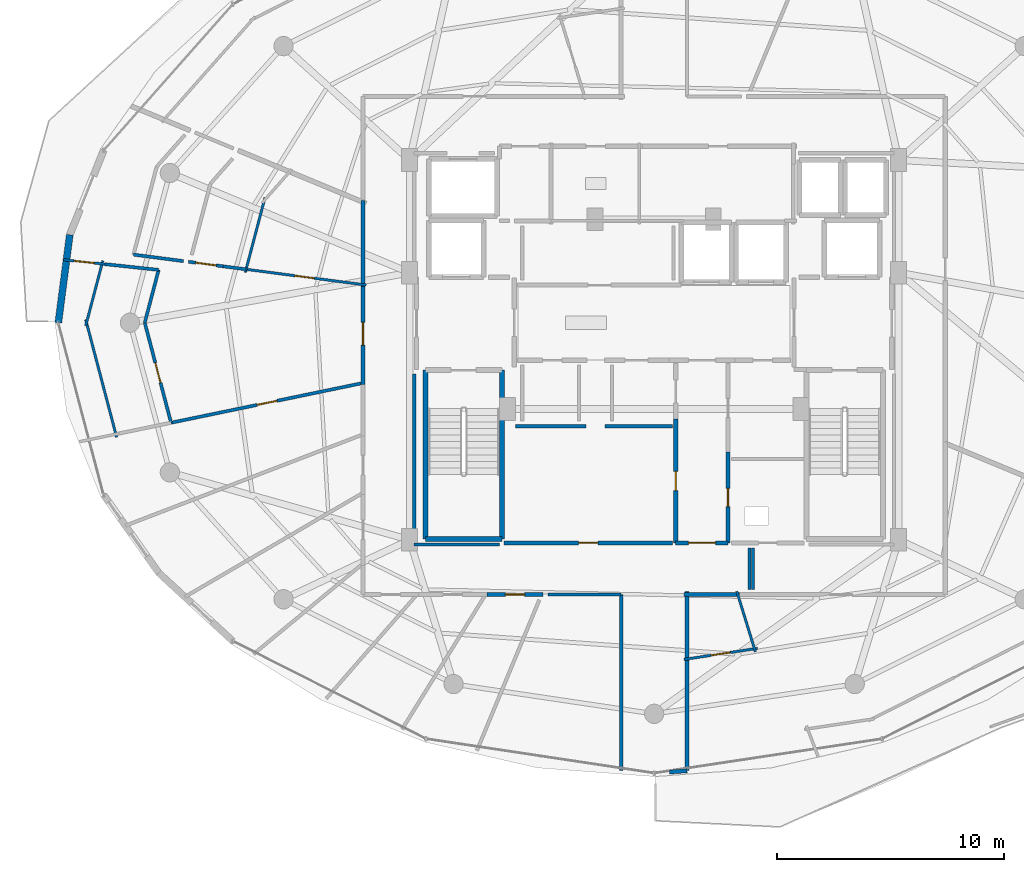
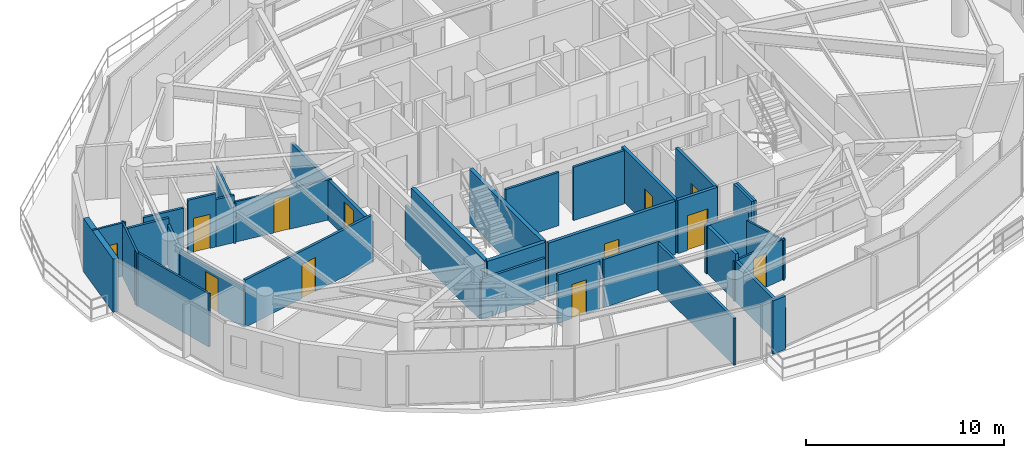
# One storey, part 22 of 30: 37 walls, 12 doors, 12 openings.
"""IFC4 building model written with IfcOpenShell, lengths in metres."""

from ifc_helpers import new_model, si_unit, direction, frame, frame_2d, origin, place, context, subcontext, project, spatial, rectangle, extrude, material, layer, layer_set, type_object, element, fill, save


model = new_model("IFC4")

# Units and contexts
model_context = context("Model", 3, precision=1e-05, world=origin(), true_north=direction((0.0, 1.0)))
body_context = subcontext(model_context, "Body", "Model", "MODEL_VIEW")
ifc_project = project(units=[si_unit("LENGTHUNIT", "METRE"), si_unit("AREAUNIT", "SQUARE_METRE"), si_unit("VOLUMEUNIT", "CUBIC_METRE"), si_unit("PLANEANGLEUNIT", "RADIAN"), si_unit("MASSUNIT", "GRAM", prefix="KILO")], contexts=[model_context])

# Site, building, storey
site_placement = place(None, origin())
site = spatial("IfcSite", under=ifc_project, at=site_placement, CompositionType="ELEMENT")
building_placement = place(site_placement, origin())
building = spatial("IfcBuilding", under=site, at=building_placement, Name="Vorneva Point Tower", CompositionType="ELEMENT")
storey_placement = place(building_placement, frame((0.0, 0.0, 237.800048828125)))
storey = spatial("IfcBuildingStorey", under=building, at=storey_placement, Name="L64", CompositionType="ELEMENT", Elevation=237.800048828125)

# Wall
ifc_material_1 = material(Name="Precast concrete B50 (C40/50)", Category="concrete")
ifc_layer_1 = layer(ifc_material_1, 0.300048828125)
ifc_layer_set_1 = layer_set([ifc_layer_1], Name="Precast concrete B50 (C40/50)")
wall_type_1 = type_object("IfcWallType", Name="WL-EXT-300", PredefinedType="STANDARD", material=ifc_layer_set_1)
wall_1_placement = place(storey_placement, frame((12.303466796875, 29.86474609375, 0.0), z_axis=(0.0, 0.0, 1.0), x_axis=(-0.129167789917, -0.991622751881, 0.0)))
element("IfcWall", 1, at=wall_1_placement, inside=storey, type_object=wall_type_1, Name="L64 Pale-Metal Facade Spandrel Wall 08.2", PredefinedType="STANDARD", context=body_context, shape_type="SweptSolid", body=[
    extrude(rectangle(XDim=3.8974609375, YDim=0.300048828125, at=frame_2d((1.94873046875, 0.0))), origin(), (0.0, 0.0, 1.0), 3.2900390625),
])

# Wall, opening, door
ifc_material_2 = material(Name="Fire-rated acoustic gypsum stud partition", Category="gypsum")
ifc_layer_2 = layer(ifc_material_2, 0.110107421875)
ifc_layer_set_2 = layer_set([ifc_layer_2], Name="Fire-rated acoustic gypsum stud partition")
wall_type_2 = type_object("IfcWallType", Name="WL-PART-110", PredefinedType="PARTITIONING", material=ifc_layer_set_2)
wall_2_placement = place(storey_placement, frame((25.3388671875, 27.65576171875, 0.0), z_axis=(0.0, 0.0, 1.0), x_axis=(-0.991543288598, 0.129776372412, 0.0)))
wall_2 = element("IfcWall", 2, at=wall_2_placement, inside=storey, type_object=wall_type_2, Name="L64 Interior Partition 066", PredefinedType="PARTITIONING", context=body_context, shape_type="SweptSolid", body=[
    extrude(rectangle(XDim=5.466796875, YDim=0.110107421875, at=frame_2d((2.7333984375, 0.0))), origin(), (0.0, 0.0, 1.0), 2.48193359375),
])
opening_1_placement = place(wall_2_placement, frame((2.308349609375, 0.0, 0.0)))
opening_1 = element("IfcOpeningElement", 3, at=opening_1_placement, cuts=wall_2, Name="Opening ID-02", PredefinedType="OPENING", context=body_context, shape_type="SweptSolid", body=[
    extrude(rectangle(XDim=0.85009765625, YDim=2.10009765625, at=frame_2d((0.425048828125, 1.050048828125))), frame((0.0, 0.06982421875, 0.0), z_axis=(0.0, -1.0, 0.0), x_axis=(1.0, 0.0, 0.0)), (0.0, 0.0, 1.0), 0.139892578125),
])
ifc_material_3 = material(Name="Engineered oak fire-rated door leaf", Category="wood")
door_type_1 = type_object("IfcDoorType", Name="DR-BATH-850", OperationType="NOTDEFINED", PredefinedType="DOOR", material=ifc_material_3)
door_1_placement = place(opening_1_placement, origin())
door_1 = element("IfcDoor", 4, at=door_1_placement, inside=storey, type_object=door_type_1, Name="L64 Door Living and Dining Room L64-02 / Bathroom L64-02", OperationType="SINGLE_SWING_LEFT", OverallHeight=2.10009765625, OverallWidth=0.85009765625, PredefinedType="DOOR", context=body_context, shape_type="SweptSolid", body=[
    extrude(rectangle(XDim=0.85009765625, YDim=2.10009765625, at=frame_2d((0.425048828125, 1.050048828125))), frame((0.0, 0.02490234375, 0.0), z_axis=(0.0, -1.0, 0.0), x_axis=(1.0, 0.0, 0.0)), (0.0, 0.0, 1.0), 0.050048828125),
])
fill(opening_1, door_1)

wall_3_placement = place(storey_placement, frame((12.020751953125, 28.768798828125, 0.0), z_axis=(0.0, 0.0, 1.0), x_axis=(0.994395705484, -0.105722187429, 0.0)))
wall_3 = element("IfcWall", 5, at=wall_3_placement, inside=storey, type_object=wall_type_2, Name="L64 Interior Partition 067", PredefinedType="PARTITIONING", context=body_context, shape_type="SweptSolid", body=[
    extrude(rectangle(XDim=1.849609375, YDim=0.110107421875, at=frame_2d((0.9248046875, 0.0))), origin(), (0.0, 0.0, 1.0), 3.2900390625),
])
opening_2_placement = place(wall_3_placement, frame((0.474853515625, 0.0, 0.0)))
opening_2 = element("IfcOpeningElement", 6, at=opening_2_placement, cuts=wall_3, Name="Opening ID-01", PredefinedType="OPENING", context=body_context, shape_type="SweptSolid", body=[
    extrude(rectangle(XDim=0.89990234375, YDim=2.10009765625, at=frame_2d((0.449951171875, 1.050048828125))), frame((0.0, 0.06982421875, 0.0), z_axis=(0.0, -1.0, 0.0), x_axis=(1.0, 0.0, 0.0)), (0.0, 0.0, 1.0), 0.139892578125),
])
door_type_2 = type_object("IfcDoorType", Name="DR-ROOM-900", OperationType="NOTDEFINED", PredefinedType="DOOR", material=ifc_material_3)
door_2_placement = place(opening_2_placement, origin())
door_2 = element("IfcDoor", 7, at=door_2_placement, inside=storey, type_object=door_type_2, Name="L64 Door Living and Dining Room L64-02 / Kitchen L64-02", OperationType="SINGLE_SWING_RIGHT", OverallHeight=2.10009765625, OverallWidth=0.89990234375, PredefinedType="DOOR", context=body_context, shape_type="SweptSolid", body=[
    extrude(rectangle(XDim=0.89990234375, YDim=2.10009765625, at=frame_2d((0.449951171875, 1.050048828125))), frame((0.0, 0.02490234375, 0.0), z_axis=(0.0, -1.0, 0.0), x_axis=(1.0, 0.0, 0.0)), (0.0, 0.0, 1.0), 0.050048828125),
])
fill(opening_2, door_2)

# Walls
wall_4_placement = place(storey_placement, frame((20.021484375, 28.211669921875, 0.0), z_axis=(0.0, 0.0, 1.0), x_axis=(0.254539154478, 0.967062468943, 0.0)))
element("IfcWall", 8, at=wall_4_placement, inside=storey, type_object=wall_type_2, Name="L64 Interior Partition 073", PredefinedType="PARTITIONING", context=body_context, shape_type="SweptSolid", body=[
    extrude(rectangle(XDim=3.406982421875, YDim=0.110107421875, at=frame_2d((1.70361328125, 0.0))), origin(), (0.0, 0.0, 1.0), 2.48193359375),
])
wall_5_placement = place(storey_placement, frame((14.364501953125, 20.962646484375, 0.0), z_axis=(0.0, 0.0, 1.0), x_axis=(-0.254288836667, 0.967128320104, 0.0)))
element("IfcWall", 9, at=wall_5_placement, inside=storey, type_object=wall_type_2, Name="L64 Interior Partition 075", PredefinedType="PARTITIONING", context=body_context, shape_type="SweptSolid", body=[
    extrude(rectangle(XDim=5.3486328125, YDim=0.110107421875, at=frame_2d((2.67431640625, 0.0))), origin(), (0.0, 0.0, 1.0), 3.2900390625),
])
wall_6_placement = place(storey_placement, frame((13.00439453125, 25.864501953125, 0.0), z_axis=(0.0, 0.0, 1.0), x_axis=(0.254448582557, 0.967086303716, 0.0)))
element("IfcWall", 10, at=wall_6_placement, inside=storey, type_object=wall_type_2, Name="L64 Interior Partition 076", PredefinedType="PARTITIONING", context=body_context, shape_type="SweptSolid", body=[
    extrude(rectangle(XDim=2.956298828125, YDim=0.110107421875, at=frame_2d((1.47802734375, 0.0))), origin(), (0.0, 0.0, 1.0), 3.2900390625),
])
wall_7_placement = place(storey_placement, frame((41.634765625, 14.183837890625, 0.0), z_axis=(0.0, 0.0, 1.0), x_axis=(0.294283258928, -0.955718244837, 0.0)))
element("IfcWall", 11, at=wall_7_placement, inside=storey, type_object=wall_type_2, Name="L64 Interior Partition 083", PredefinedType="PARTITIONING", context=body_context, shape_type="SweptSolid", body=[
    extrude(rectangle(XDim=2.78076171875, YDim=0.110107421875, at=frame_2d((1.390380859375, 0.0))), origin(), (0.0, 0.0, 1.0), 2.48193359375),
])

# Wall, opening, door
wall_8_placement = place(storey_placement, frame((42.55029296875, 11.680908203125, 0.0), z_axis=(0.0, 0.0, 1.0), x_axis=(-0.98884760338, -0.148930914485, 0.0)))
wall_8 = element("IfcWall", 12, at=wall_8_placement, inside=storey, type_object=wall_type_2, Name="L64 Interior Partition 084", PredefinedType="PARTITIONING", context=body_context, shape_type="SweptSolid", body=[
    extrude(rectangle(XDim=3.275390625, YDim=0.110107421875, at=frame_2d((1.6376953125, 0.0))), origin(), (0.0, 0.0, 1.0), 2.48193359375),
])
opening_3_placement = place(wall_8_placement, frame((1.212646484375, 0.0, 0.0)))
opening_3 = element("IfcOpeningElement", 13, at=opening_3_placement, cuts=wall_8, Name="Opening ID-02", PredefinedType="OPENING", context=body_context, shape_type="SweptSolid", body=[
    extrude(rectangle(XDim=0.85009765625, YDim=2.10009765625, at=frame_2d((0.425048828125, 1.050048828125))), frame((0.0, 0.06982421875, 0.0), z_axis=(0.0, -1.0, 0.0), x_axis=(1.0, 0.0, 0.0)), (0.0, 0.0, 1.0), 0.139892578125),
])
door_3_placement = place(opening_3_placement, origin())
door_3 = element("IfcDoor", 14, at=door_3_placement, inside=storey, type_object=door_type_1, Name="L64 Door Studio Apartment L64-03 / Bathroom L64-03", OperationType="SINGLE_SWING_LEFT", OverallHeight=2.10009765625, OverallWidth=0.85009765625, PredefinedType="DOOR", context=body_context, shape_type="SweptSolid", body=[
    extrude(rectangle(XDim=0.85009765625, YDim=2.10009765625, at=frame_2d((0.425048828125, 1.050048828125))), frame((0.0, 0.02490234375, 0.0), z_axis=(0.0, -1.0, 0.0), x_axis=(1.0, 0.0, 0.0)), (0.0, 0.0, 1.0), 0.050048828125),
])
fill(opening_3, door_3)

# Walls
ifc_layer_3 = layer(ifc_material_2, 0.139892578125)
ifc_layer_set_3 = layer_set([ifc_layer_3], Name="Fire-rated acoustic gypsum stud partition")
wall_type_3 = type_object("IfcWallType", Name="WL-PART-140", PredefinedType="PARTITIONING", material=ifc_layer_set_3)
wall_9_placement = place(storey_placement, frame((35.0048828125, 21.449951171875, 0.0), z_axis=(0.0, 0.0, 1.0), x_axis=(-1.0, 0.0, 0.0)))
element("IfcWall", 15, at=wall_9_placement, inside=storey, type_object=wall_type_3, Name="L64 Interior Partition 028", PredefinedType="PARTITIONING", context=body_context, shape_type="SweptSolid", body=[
    extrude(rectangle(XDim=3.10986328125, YDim=0.139892578125, at=frame_2d((1.554931640625, 0.0))), origin(), (0.0, 0.0, 1.0), 3.2900390625),
])
wall_10_placement = place(storey_placement, frame((38.800048828125, 21.449951171875, 0.0), z_axis=(0.0, 0.0, 1.0), x_axis=(-1.0, 0.0, 0.0)))
element("IfcWall", 16, at=wall_10_placement, inside=storey, type_object=wall_type_3, Name="L64 Interior Partition 029", PredefinedType="PARTITIONING", context=body_context, shape_type="SweptSolid", body=[
    extrude(rectangle(XDim=2.955078125, YDim=0.139892578125, at=frame_2d((1.4775390625, 0.0))), origin(), (0.0, 0.0, 1.0), 3.2900390625),
])
wall_11_placement = place(storey_placement, frame((20.056884765625, 28.346923828125, 0.0), z_axis=(0.0, 0.0, 1.0), x_axis=(-0.99150495655, 0.130068909188, 0.0)))
element("IfcWall", 17, at=wall_11_placement, inside=storey, type_object=wall_type_3, Name="L64 Interior Partition 064", PredefinedType="PARTITIONING", context=body_context, shape_type="SweptSolid", body=[
    extrude(rectangle(XDim=1.015380859375, YDim=0.139892578125, at=frame_2d((0.5078125, 0.0))), origin(), (0.0, 0.0, 1.0), 2.924072265625),
])

# Wall, opening, door
wall_12_placement = place(storey_placement, frame((19.050048828125, 28.47900390625, 0.0), z_axis=(0.0, 0.0, 1.0), x_axis=(-0.991536647804, 0.129827100648, 0.0)))
wall_12 = element("IfcWall", 18, at=wall_12_placement, inside=storey, type_object=wall_type_3, Name="L64 Interior Partition 065", PredefinedType="PARTITIONING", context=body_context, shape_type="SweptSolid", body=[
    extrude(rectangle(XDim=1.5400390625, YDim=0.139892578125, at=frame_2d((0.77001953125, 0.0))), origin(), (0.0, 0.0, 1.0), 3.2900390625),
])
opening_4_placement = place(wall_12_placement, frame((0.320068359375, 0.0, 0.0)))
opening_4 = element("IfcOpeningElement", 19, at=opening_4_placement, cuts=wall_12, Name="Opening ID-01", PredefinedType="OPENING", context=body_context, shape_type="SweptSolid", body=[
    extrude(rectangle(XDim=0.89990234375, YDim=2.10009765625, at=frame_2d((0.449951171875, 1.050048828125))), frame((0.0, 0.0849609375, 0.0), z_axis=(0.0, -1.0, 0.0), x_axis=(1.0, 0.0, 0.0)), (0.0, 0.0, 1.0), 0.169677734375),
])
door_4_placement = place(opening_4_placement, origin())
door_4 = element("IfcDoor", 20, at=door_4_placement, inside=storey, type_object=door_type_2, Name="L64 Door Living and Dining Room L64-02 / Family Dining Room L64-02", OperationType="SINGLE_SWING_RIGHT", OverallHeight=2.10009765625, OverallWidth=0.89990234375, PredefinedType="DOOR", context=body_context, shape_type="SweptSolid", body=[
    extrude(rectangle(XDim=0.89990234375, YDim=2.10009765625, at=frame_2d((0.449951171875, 1.050048828125))), frame((0.0, 0.02490234375, 0.0), z_axis=(0.0, -1.0, 0.0), x_axis=(1.0, 0.0, 0.0)), (0.0, 0.0, 1.0), 0.050048828125),
])
fill(opening_4, door_4)

# Walls
wall_13_placement = place(storey_placement, frame((13.860107421875, 28.572998046875, 0.0), z_axis=(0.0, 0.0, 1.0), x_axis=(0.994349321614, -0.106157555574, 0.0)))
element("IfcWall", 21, at=wall_13_placement, inside=storey, type_object=wall_type_3, Name="L64 Interior Partition 068", PredefinedType="PARTITIONING", context=body_context, shape_type="SweptSolid", body=[
    extrude(rectangle(XDim=2.3642578125, YDim=0.139892578125, at=frame_2d((1.18212890625, 0.0))), origin(), (0.0, 0.0, 1.0), 2.8740234375),
])
wall_14_placement = place(storey_placement, frame((16.2109375, 28.322021484375, 0.0), z_axis=(0.0, 0.0, 1.0), x_axis=(-0.254408212112, -0.96709692462, 0.0)))
element("IfcWall", 22, at=wall_14_placement, inside=storey, type_object=wall_type_3, Name="L64 Interior Partition 069", PredefinedType="PARTITIONING", context=body_context, shape_type="SweptSolid", body=[
    extrude(rectangle(XDim=2.401123046875, YDim=0.139892578125, at=frame_2d((1.20068359375, 0.0))), origin(), (0.0, 0.0, 1.0), 2.48193359375),
])

# Wall, opening, door
wall_15_placement = place(storey_placement, frame((15.60009765625, 26.0, 0.0), z_axis=(0.0, 0.0, 1.0), x_axis=(0.25436383836, -0.967108596661, 0.0)))
wall_15 = element("IfcWall", 23, at=wall_15_placement, inside=storey, type_object=wall_type_3, Name="L64 Interior Partition 070", PredefinedType="PARTITIONING", context=body_context, shape_type="SweptSolid", body=[
    extrude(rectangle(XDim=4.548583984375, YDim=0.139892578125, at=frame_2d((2.2744140625, 0.0))), origin(), (0.0, 0.0, 1.0), 2.48193359375),
])
opening_5_placement = place(wall_15_placement, frame((1.82421875, 0.0, 0.0)))
opening_5 = element("IfcOpeningElement", 24, at=opening_5_placement, cuts=wall_15, Name="Opening ID-01", PredefinedType="OPENING", context=body_context, shape_type="SweptSolid", body=[
    extrude(rectangle(XDim=0.89990234375, YDim=2.10009765625, at=frame_2d((0.449951171875, 1.050048828125))), frame((0.0, 0.0849609375, 0.0), z_axis=(0.0, -1.0, 0.0), x_axis=(1.0, 0.0, 0.0)), (0.0, 0.0, 1.0), 0.169677734375),
])
door_5_placement = place(opening_5_placement, origin())
door_5 = element("IfcDoor", 25, at=door_5_placement, inside=storey, type_object=door_type_2, Name="L64 Door Living and Dining Room L64-02 / Study Room L64-02", OperationType="SINGLE_SWING_LEFT", OverallHeight=2.10009765625, OverallWidth=0.89990234375, PredefinedType="DOOR", context=body_context, shape_type="SweptSolid", body=[
    extrude(rectangle(XDim=0.89990234375, YDim=2.10009765625, at=frame_2d((0.449951171875, 1.050048828125))), frame((0.0, 0.02490234375, 0.0), z_axis=(0.0, -1.0, 0.0), x_axis=(1.0, 0.0, 0.0)), (0.0, 0.0, 1.0), 0.050048828125),
])
fill(opening_5, door_5)

wall_16_placement = place(storey_placement, frame((16.757080078125, 21.600830078125, 0.0), z_axis=(0.0, 0.0, 1.0), x_axis=(0.979226116247, 0.20277133244, 0.0)))
wall_16 = element("IfcWall", 26, at=wall_16_placement, inside=storey, type_object=wall_type_3, Name="L64 Interior Partition 072", PredefinedType="PARTITIONING", context=body_context, shape_type="SweptSolid", body=[
    extrude(rectangle(XDim=8.6220703125, YDim=0.139892578125, at=frame_2d((4.31103515625, 0.0))), origin(), (0.0, 0.0, 1.0), 2.924072265625),
])
opening_6_placement = place(wall_16_placement, frame((3.861083984375, 0.0, 0.0)))
opening_6 = element("IfcOpeningElement", 27, at=opening_6_placement, cuts=wall_16, Name="Opening ID-01", PredefinedType="OPENING", context=body_context, shape_type="SweptSolid", body=[
    extrude(rectangle(XDim=0.89990234375, YDim=2.10009765625, at=frame_2d((0.449951171875, 1.050048828125))), frame((0.0, 0.0849609375, 0.0), z_axis=(0.0, -1.0, 0.0), x_axis=(1.0, 0.0, 0.0)), (0.0, 0.0, 1.0), 0.169677734375),
])
door_6_placement = place(opening_6_placement, origin())
door_6 = element("IfcDoor", 28, at=door_6_placement, inside=storey, type_object=door_type_2, Name="L64 Door Living and Dining Room L64-02 / Master Bedroom L64-02.1", OperationType="SINGLE_SWING_RIGHT", OverallHeight=2.10009765625, OverallWidth=0.89990234375, PredefinedType="DOOR", context=body_context, shape_type="SweptSolid", body=[
    extrude(rectangle(XDim=0.89990234375, YDim=2.10009765625, at=frame_2d((0.449951171875, 1.050048828125))), frame((0.0, 0.02490234375, 0.0), z_axis=(0.0, -1.0, 0.0), x_axis=(1.0, 0.0, 0.0)), (0.0, 0.0, 1.0), 0.050048828125),
])
fill(opening_6, door_6)

# Walls
wall_17_placement = place(storey_placement, frame((33.330078125, 14.050048828125, 0.0), z_axis=(0.0, 0.0, 1.0), x_axis=(1.0, 0.0, 0.0)))
element("IfcWall", 29, at=wall_17_placement, inside=storey, type_object=wall_type_3, Name="L64 Interior Closure Partition 101", PredefinedType="PARTITIONING", context=body_context, shape_type="SweptSolid", body=[
    extrude(rectangle(XDim=3.219970703125, YDim=0.139892578125, at=frame_2d((1.60986328125, 0.0))), origin(), (0.0, 0.0, 1.0), 2.971923828125),
])
wall_18_placement = place(storey_placement, frame((36.550048828125, 14.050048828125, 0.0), z_axis=(0.0, 0.0, 1.0), x_axis=(0.0, -1.0, 0.0)))
element("IfcWall", 30, at=wall_18_placement, inside=storey, type_object=wall_type_3, Name="L64 Interior Closure Partition 102", PredefinedType="PARTITIONING", context=body_context, shape_type="SweptSolid", body=[
    extrude(rectangle(XDim=7.7509765625, YDim=0.139892578125, at=frame_2d((3.87548828125, 0.0))), origin(), (0.0, 0.0, 1.0), 2.8740234375),
])
wall_19_placement = place(storey_placement, frame((42.340087890625, 14.27001953125, 0.0), z_axis=(0.0, 0.0, 1.0), x_axis=(0.0, 1.0, 0.0)))
element("IfcWall", 31, at=wall_19_placement, inside=storey, type_object=wall_type_3, Name="L64 Interior Closure Partition 105", PredefinedType="PARTITIONING", context=body_context, shape_type="SweptSolid", body=[
    extrude(rectangle(XDim=1.830078125, YDim=0.139892578125, at=frame_2d((0.9150390625, 0.0))), origin(), (0.0, 0.0, 1.0), 3.2900390625),
])
wall_20_placement = place(storey_placement, frame((27.449951171875, 23.75390625, 0.0), z_axis=(0.0, 0.0, 1.0), x_axis=(0.0, -1.0, 0.0)))
element("IfcWall", 32, at=wall_20_placement, inside=storey, type_object=wall_type_3, Name="L64 Interior Closure Partition 113", PredefinedType="PARTITIONING", context=body_context, shape_type="SweptSolid", body=[
    extrude(rectangle(XDim=7.513916015625, YDim=0.139892578125, at=frame_2d((3.7568359375, 0.0))), origin(), (0.0, 0.0, 1.0), 2.48193359375),
])
wall_21_placement = place(storey_placement, frame((27.449951171875, 16.239990234375, 0.0), z_axis=(0.0, 0.0, 1.0), x_axis=(1.0, 0.0, 0.0)))
element("IfcWall", 33, at=wall_21_placement, inside=storey, type_object=wall_type_3, Name="L64 Interior Closure Partition 114", PredefinedType="PARTITIONING", context=body_context, shape_type="SweptSolid", body=[
    extrude(rectangle(XDim=3.7451171875, YDim=0.139892578125, at=frame_2d((1.87255859375, 0.0))), origin(), (0.0, 0.0, 1.0), 2.48193359375),
])
wall_22_placement = place(storey_placement, frame((42.199951171875, 16.10009765625, 0.0), z_axis=(0.0, 0.0, 1.0), x_axis=(0.0, -1.0, 0.0)))
element("IfcWall", 34, at=wall_22_placement, inside=storey, type_object=wall_type_3, Name="L64 Interior Closure Partition 115", PredefinedType="PARTITIONING", context=body_context, shape_type="SweptSolid", body=[
    extrude(rectangle(XDim=1.830078125, YDim=0.139892578125, at=frame_2d((0.9150390625, 0.0))), origin(), (0.0, 0.0, 1.0), 3.2900390625),
])
wall_23_placement = place(storey_placement, frame((17.304931640625, 28.70703125, 0.0), z_axis=(0.0, 0.0, 1.0), x_axis=(-0.991583198316, 0.129471081011, 0.0)))
element("IfcWall", 35, at=wall_23_placement, inside=storey, type_object=wall_type_3, Name="L64 Interior Closure Partition 117", PredefinedType="PARTITIONING", context=body_context, shape_type="SweptSolid", body=[
    extrude(rectangle(XDim=2.215576171875, YDim=0.139892578125, at=frame_2d((1.10791015625, 0.0))), origin(), (0.0, 0.0, 1.0), 2.8740234375),
])

# Wall, opening, door
ifc_material_4 = material(Name="Autoclaved aerated concrete blockwork", Category="masonry")
ifc_layer_4 = layer(ifc_material_4, 0.179931640625)
ifc_layer_set_4 = layer_set([ifc_layer_4], Name="Autoclaved aerated concrete blockwork")
wall_type_4 = type_object("IfcWallType", Name="WL-PART-180", PredefinedType="PARTITIONING", material=ifc_layer_set_4)
wall_24_placement = place(storey_placement, frame((41.25, 16.320068359375, 0.0), z_axis=(0.0, 0.0, 1.0), x_axis=(0.0, 1.0, 0.0)))
wall_24 = element("IfcWall", 36, at=wall_24_placement, inside=storey, type_object=wall_type_4, Name="L64 Interior Partition 015", PredefinedType="PARTITIONING", context=body_context, shape_type="SweptSolid", body=[
    extrude(rectangle(XDim=3.98486328125, YDim=0.179931640625, at=frame_2d((1.992431640625, 0.0))), origin(), (0.0, 0.0, 1.0), 3.2900390625),
])
opening_7_placement = place(wall_24_placement, frame((1.592529296875, 0.0, 0.0)))
opening_7 = element("IfcOpeningElement", 37, at=opening_7_placement, cuts=wall_24, Name="Opening RD-01", PredefinedType="OPENING", context=body_context, shape_type="SweptSolid", body=[
    extrude(rectangle(XDim=0.800048828125, YDim=2.050048828125, at=frame_2d((0.39990234375, 1.02490234375))), frame((0.0, 0.10498046875, 0.0), z_axis=(0.0, -1.0, 0.0), x_axis=(1.0, 0.0, 0.0)), (0.0, 0.0, 1.0), 0.209716796875),
])
ifc_material_5 = material(Name="Fire-rated powder-coated steel", Category="steel")
door_type_3 = type_object("IfcDoorType", Name="DR-RSR-800", OperationType="SINGLE_SWING_LEFT", PredefinedType="DOOR", material=ifc_material_5)
door_7_placement = place(opening_7_placement, origin())
door_7 = element("IfcDoor", 38, at=door_7_placement, inside=storey, type_object=door_type_3, Name="L64 Door Core Service Lobby / Electrical Riser", OperationType="SINGLE_SWING_LEFT", OverallHeight=2.050048828125, OverallWidth=0.800048828125, PredefinedType="DOOR", context=body_context, shape_type="SweptSolid", body=[
    extrude(rectangle(XDim=0.800048828125, YDim=2.050048828125, at=frame_2d((0.39990234375, 1.02490234375))), frame((0.0, 0.02490234375, 0.0), z_axis=(0.0, -1.0, 0.0), x_axis=(1.0, 0.0, 0.0)), (0.0, 0.0, 1.0), 0.050048828125),
])
fill(opening_7, door_7)

wall_25_placement = place(storey_placement, frame((38.949951171875, 21.7548828125, 0.0), z_axis=(0.0, 0.0, 1.0), x_axis=(0.0, -1.0, 0.0)))
wall_25 = element("IfcWall", 39, at=wall_25_placement, inside=storey, type_object=wall_type_4, Name="L64 Interior Partition 017", PredefinedType="PARTITIONING", context=body_context, shape_type="SweptSolid", body=[
    extrude(rectangle(XDim=5.434814453125, YDim=0.179931640625, at=frame_2d((2.71728515625, 0.0))), origin(), (0.0, 0.0, 1.0), 3.2900390625),
])
opening_8_placement = place(wall_25_placement, frame((2.29248046875, 0.0, 0.0)))
opening_8 = element("IfcOpeningElement", 40, at=opening_8_placement, cuts=wall_25, Name="Opening ID-02", PredefinedType="OPENING", context=body_context, shape_type="SweptSolid", body=[
    extrude(rectangle(XDim=0.85009765625, YDim=2.10009765625, at=frame_2d((0.425048828125, 1.050048828125))), frame((0.0, 0.10498046875, 0.0), z_axis=(0.0, -1.0, 0.0), x_axis=(1.0, 0.0, 0.0)), (0.0, 0.0, 1.0), 0.209716796875),
])
door_8_placement = place(opening_8_placement, origin())
door_8 = element("IfcDoor", 41, at=door_8_placement, inside=storey, type_object=door_type_1, Name="L64 Door Core Service Lobby / Floor Storage Room", OperationType="SINGLE_SWING_LEFT", OverallHeight=2.10009765625, OverallWidth=0.85009765625, PredefinedType="DOOR", context=body_context, shape_type="SweptSolid", body=[
    extrude(rectangle(XDim=0.85009765625, YDim=2.10009765625, at=frame_2d((0.425048828125, 1.050048828125))), frame((0.0, 0.02490234375, 0.0), z_axis=(0.0, -1.0, 0.0), x_axis=(1.0, 0.0, 0.0)), (0.0, 0.0, 1.0), 0.050048828125),
])
fill(opening_8, door_8)

wall_26_placement = place(storey_placement, frame((38.949951171875, 16.320068359375, 0.0), z_axis=(0.0, 0.0, 1.0), x_axis=(1.0, 0.0, 0.0)))
wall_26 = element("IfcWall", 42, at=wall_26_placement, inside=storey, type_object=wall_type_4, Name="L64 Interior Partition 019", PredefinedType="PARTITIONING", context=body_context, shape_type="SweptSolid", body=[
    extrude(rectangle(XDim=2.300048828125, YDim=0.179931640625, at=frame_2d((1.14990234375, 0.0))), origin(), (0.0, 0.0, 1.0), 3.2900390625),
])
opening_9_placement = place(wall_26_placement, frame((0.550048828125, 0.0, 0.0)))
opening_9 = element("IfcOpeningElement", 43, at=opening_9_placement, cuts=wall_26, Name="Opening FD-02", PredefinedType="OPENING", context=body_context, shape_type="SweptSolid", body=[
    extrude(rectangle(XDim=1.199951171875, YDim=2.14990234375, at=frame_2d((0.60009765625, 1.074951171875))), frame((0.0, 0.10498046875, 0.0), z_axis=(0.0, -1.0, 0.0), x_axis=(1.0, 0.0, 0.0)), (0.0, 0.0, 1.0), 0.209716796875),
])
door_type_4 = type_object("IfcDoorType", Name="DR-FFL-1200", OperationType="NOTDEFINED", PredefinedType="DOOR", material=ifc_material_5)
door_9_placement = place(opening_9_placement, origin())
door_9 = element("IfcDoor", 44, at=door_9_placement, inside=storey, type_object=door_type_4, Name="L64 Door Core Service Lobby / L64 Circulation Corridor", OperationType="SINGLE_SWING_LEFT", OverallHeight=2.14990234375, OverallWidth=1.199951171875, PredefinedType="DOOR", context=body_context, shape_type="SweptSolid", body=[
    extrude(rectangle(XDim=1.199951171875, YDim=2.14990234375, at=frame_2d((0.60009765625, 1.074951171875))), frame((0.0, 0.02490234375, 0.0), z_axis=(0.0, -1.0, 0.0), x_axis=(1.0, 0.0, 0.0)), (0.0, 0.0, 1.0), 0.050048828125),
])
fill(opening_9, door_9)

wall_27_placement = place(storey_placement, frame((31.39990234375, 16.320068359375, 0.0), z_axis=(0.0, 0.0, 1.0), x_axis=(1.0, 0.0, 0.0)))
wall_27 = element("IfcWall", 45, at=wall_27_placement, inside=storey, type_object=wall_type_4, Name="L64 Interior Partition 030", PredefinedType="PARTITIONING", context=body_context, shape_type="SweptSolid", body=[
    extrude(rectangle(XDim=7.400146484375, YDim=0.179931640625, at=frame_2d((3.7001953125, 0.0))), origin(), (0.0, 0.0, 1.0), 3.2900390625),
])
opening_10_placement = place(wall_27_placement, frame((3.27490234375, 0.0, 0.0)))
opening_10 = element("IfcOpeningElement", 46, at=opening_10_placement, cuts=wall_27, Name="Opening ID-02", PredefinedType="OPENING", context=body_context, shape_type="SweptSolid", body=[
    extrude(rectangle(XDim=0.85009765625, YDim=2.10009765625, at=frame_2d((0.425048828125, 1.050048828125))), frame((0.0, 0.10498046875, 0.0), z_axis=(0.0, -1.0, 0.0), x_axis=(1.0, 0.0, 0.0)), (0.0, 0.0, 1.0), 0.209716796875),
])
door_10_placement = place(opening_10_placement, origin())
door_10 = element("IfcDoor", 47, at=door_10_placement, inside=storey, type_object=door_type_1, Name="L64 Door Floor Storage Room / L64 Circulation Corridor", OperationType="SINGLE_SWING_LEFT", OverallHeight=2.10009765625, OverallWidth=0.85009765625, PredefinedType="DOOR", context=body_context, shape_type="SweptSolid", body=[
    extrude(rectangle(XDim=0.85009765625, YDim=2.10009765625, at=frame_2d((0.425048828125, 1.050048828125))), frame((0.0, 0.02490234375, 0.0), z_axis=(0.0, -1.0, 0.0), x_axis=(1.0, 0.0, 0.0)), (0.0, 0.0, 1.0), 0.050048828125),
])
fill(opening_10, door_10)

wall_28_placement = place(storey_placement, frame((25.199951171875, 27.735107421875, 0.0), z_axis=(0.0, 0.0, 1.0), x_axis=(0.0, -1.0, 0.0)))
wall_28 = element("IfcWall", 48, at=wall_28_placement, inside=storey, type_object=wall_type_4, Name="L64 Interior Partition 037", PredefinedType="PARTITIONING", context=body_context, shape_type="SweptSolid", body=[
    extrude(rectangle(XDim=4.447021484375, YDim=0.179931640625, at=frame_2d((2.2236328125, 0.0))), origin(), (0.0, 0.0, 1.0), 2.48193359375),
])
opening_11_placement = place(wall_28_placement, frame((1.723388671875, 0.0, 0.0)))
opening_11 = element("IfcOpeningElement", 49, at=opening_11_placement, cuts=wall_28, Name="Opening UD-01", PredefinedType="OPENING", context=body_context, shape_type="SweptSolid", body=[
    extrude(rectangle(XDim=1.0, YDim=2.14990234375, at=frame_2d((0.5, 1.074951171875))), frame((0.0, 0.10498046875, 0.0), z_axis=(0.0, -1.0, 0.0), x_axis=(1.0, 0.0, 0.0)), (0.0, 0.0, 1.0), 0.209716796875),
])
door_type_5 = type_object("IfcDoorType", Name="DR-UNIT-1000", OperationType="NOTDEFINED", PredefinedType="DOOR", material=ifc_material_3)
door_11_placement = place(opening_11_placement, origin())
door_11 = element("IfcDoor", 50, at=door_11_placement, inside=storey, type_object=door_type_5, Name="L64 Door L64 Circulation Corridor / Living and Dining Room L64-02", OperationType="SINGLE_SWING_LEFT", OverallHeight=2.14990234375, OverallWidth=1.0, PredefinedType="DOOR", context=body_context, shape_type="SweptSolid", body=[
    extrude(rectangle(XDim=1.0, YDim=2.14990234375, at=frame_2d((0.5, 1.074951171875))), frame((0.0, 0.02490234375, 0.0), z_axis=(0.0, -1.0, 0.0), x_axis=(1.0, 0.0, 0.0)), (0.0, 0.0, 1.0), 0.050048828125),
])
fill(opening_11, door_11)

# Wall
wall_29_placement = place(storey_placement, frame((25.199951171875, 31.382080078125, 0.0), z_axis=(0.0, 0.0, 1.0), x_axis=(0.0, -1.0, 0.0)))
element("IfcWall", 51, at=wall_29_placement, inside=storey, type_object=wall_type_4, Name="L64 Interior Partition 038", PredefinedType="PARTITIONING", context=body_context, shape_type="SweptSolid", body=[
    extrude(rectangle(XDim=3.787109375, YDim=0.179931640625, at=frame_2d((1.8935546875, 0.0))), origin(), (0.0, 0.0, 1.0), 2.48193359375),
])

# Wall, opening, door
wall_30_placement = place(storey_placement, frame((30.65087890625, 14.050048828125, 0.0), z_axis=(0.0, 0.0, 1.0), x_axis=(1.0, 0.0, 0.0)))
wall_30 = element("IfcWall", 52, at=wall_30_placement, inside=storey, type_object=wall_type_4, Name="L64 Interior Partition 045", PredefinedType="PARTITIONING", context=body_context, shape_type="SweptSolid", body=[
    extrude(rectangle(XDim=2.459228515625, YDim=0.179931640625, at=frame_2d((1.2294921875, 0.0))), origin(), (0.0, 0.0, 1.0), 2.971923828125),
])
opening_12_placement = place(wall_30_placement, frame((0.804443359375, 0.0, 0.0)))
opening_12 = element("IfcOpeningElement", 53, at=opening_12_placement, cuts=wall_30, Name="Opening ID-02", PredefinedType="OPENING", context=body_context, shape_type="SweptSolid", body=[
    extrude(rectangle(XDim=0.85009765625, YDim=2.10009765625, at=frame_2d((0.425048828125, 1.050048828125))), frame((0.0, 0.10498046875, 0.0), z_axis=(0.0, -1.0, 0.0), x_axis=(1.0, 0.0, 0.0)), (0.0, 0.0, 1.0), 0.209716796875),
])
door_12_placement = place(opening_12_placement, origin())
door_12 = element("IfcDoor", 54, at=door_12_placement, inside=storey, type_object=door_type_1, Name="L64 Access Door L64 Circulation Corridor", OperationType="SINGLE_SWING_LEFT", OverallHeight=2.10009765625, OverallWidth=0.85009765625, PredefinedType="DOOR", context=body_context, shape_type="SweptSolid", body=[
    extrude(rectangle(XDim=0.85009765625, YDim=2.10009765625, at=frame_2d((0.425048828125, 1.050048828125))), frame((0.0, 0.02490234375, 0.0), z_axis=(0.0, -1.0, 0.0), x_axis=(1.0, 0.0, 0.0)), (0.0, 0.0, 1.0), 0.050048828125),
])
fill(opening_12, door_12)

# Walls
wall_31_placement = place(storey_placement, frame((38.6708984375, 6.239990234375, 0.0), z_axis=(0.0, 0.0, 1.0), x_axis=(0.997136622012, 0.0756211415, 0.0)))
element("IfcWall", 55, at=wall_31_placement, inside=storey, type_object=wall_type_4, Name="L64 Interior Partition 046", PredefinedType="PARTITIONING", context=body_context, shape_type="SweptSolid", body=[
    extrude(rectangle(XDim=0.78125, YDim=0.179931640625, at=frame_2d((0.390625, 0.0))), origin(), (0.0, 0.0, 1.0), 3.2900390625),
])
wall_32_placement = place(storey_placement, frame((39.449951171875, 6.299072265625, 0.0), z_axis=(0.0, 0.0, 1.0), x_axis=(0.0, 1.0, 0.0)))
element("IfcWall", 56, at=wall_32_placement, inside=storey, type_object=wall_type_4, Name="L64 Interior Partition 047", PredefinedType="PARTITIONING", context=body_context, shape_type="SweptSolid", body=[
    extrude(rectangle(XDim=4.975830078125, YDim=0.179931640625, at=frame_2d((2.48779296875, 0.0))), origin(), (0.0, 0.0, 1.0), 2.48193359375),
])
wall_33_placement = place(storey_placement, frame((39.449951171875, 11.135009765625, 0.0), z_axis=(0.0, 0.0, 1.0), x_axis=(0.0, 1.0, 0.0)))
element("IfcWall", 57, at=wall_33_placement, inside=storey, type_object=wall_type_4, Name="L64 Interior Partition 050", PredefinedType="PARTITIONING", context=body_context, shape_type="SweptSolid", body=[
    extrude(rectangle(XDim=3.054931640625, YDim=0.179931640625, at=frame_2d((1.52734375, 0.0))), origin(), (0.0, 0.0, 1.0), 2.924072265625),
])
wall_34_placement = place(storey_placement, frame((39.31005859375, 14.050048828125, 0.0), z_axis=(0.0, 0.0, 1.0), x_axis=(1.0, 0.0, 0.0)))
element("IfcWall", 58, at=wall_34_placement, inside=storey, type_object=wall_type_4, Name="L64 Interior Partition 051", PredefinedType="PARTITIONING", context=body_context, shape_type="SweptSolid", body=[
    extrude(rectangle(XDim=2.446044921875, YDim=0.179931640625, at=frame_2d((1.22314453125, 0.0))), origin(), (0.0, 0.0, 1.0), 2.971923828125),
])
ifc_material_6 = material(Name="Concrete B50 (C40/50)", Category="concrete")
ifc_layer_5 = layer(ifc_material_6, 0.219970703125)
ifc_layer_set_5 = layer_set([ifc_layer_5], Name="Concrete B50 (C40/50)")
wall_type_5 = type_object("IfcWallType", Name="WL-SHFT-220", PredefinedType="SOLIDWALL", material=ifc_layer_set_5)
wall_35_placement = place(storey_placement, frame((31.31005859375, 23.909912109375, 0.0), z_axis=(0.0, 0.0, 1.0), x_axis=(0.0, -1.0, 0.0)))
element("IfcWall", 59, at=wall_35_placement, inside=storey, type_object=wall_type_5, Name="L64 Exit Stair ST1 Shaft Wall right", PredefinedType="SOLIDWALL", context=body_context, shape_type="SweptSolid", body=[
    extrude(rectangle(XDim=7.419921875, YDim=0.219970703125, at=frame_2d((3.7099609375, 0.0))), origin(), (0.0, 0.0, 1.0), 3.2900390625),
])
wall_36_placement = place(storey_placement, frame((31.31005859375, 16.489990234375, 0.0), z_axis=(0.0, 0.0, 1.0), x_axis=(-1.0, 0.0, 0.0)))
element("IfcWall", 60, at=wall_36_placement, inside=storey, type_object=wall_type_5, Name="L64 Exit Stair ST1 Shaft Wall far", PredefinedType="SOLIDWALL", context=body_context, shape_type="SweptSolid", body=[
    extrude(rectangle(XDim=3.3701171875, YDim=0.219970703125, at=frame_2d((1.68505859375, 0.0))), origin(), (0.0, 0.0, 1.0), 3.2900390625),
])
wall_37_placement = place(storey_placement, frame((27.93994140625, 16.489990234375, 0.0), z_axis=(0.0, 0.0, 1.0), x_axis=(0.0, 1.0, 0.0)))
element("IfcWall", 61, at=wall_37_placement, inside=storey, type_object=wall_type_5, Name="L64 Exit Stair ST1 Shaft Wall left", PredefinedType="SOLIDWALL", context=body_context, shape_type="SweptSolid", body=[
    extrude(rectangle(XDim=7.419921875, YDim=0.219970703125, at=frame_2d((3.7099609375, 0.0))), origin(), (0.0, 0.0, 1.0), 3.2900390625),
])

save(model, "model.ifc")
